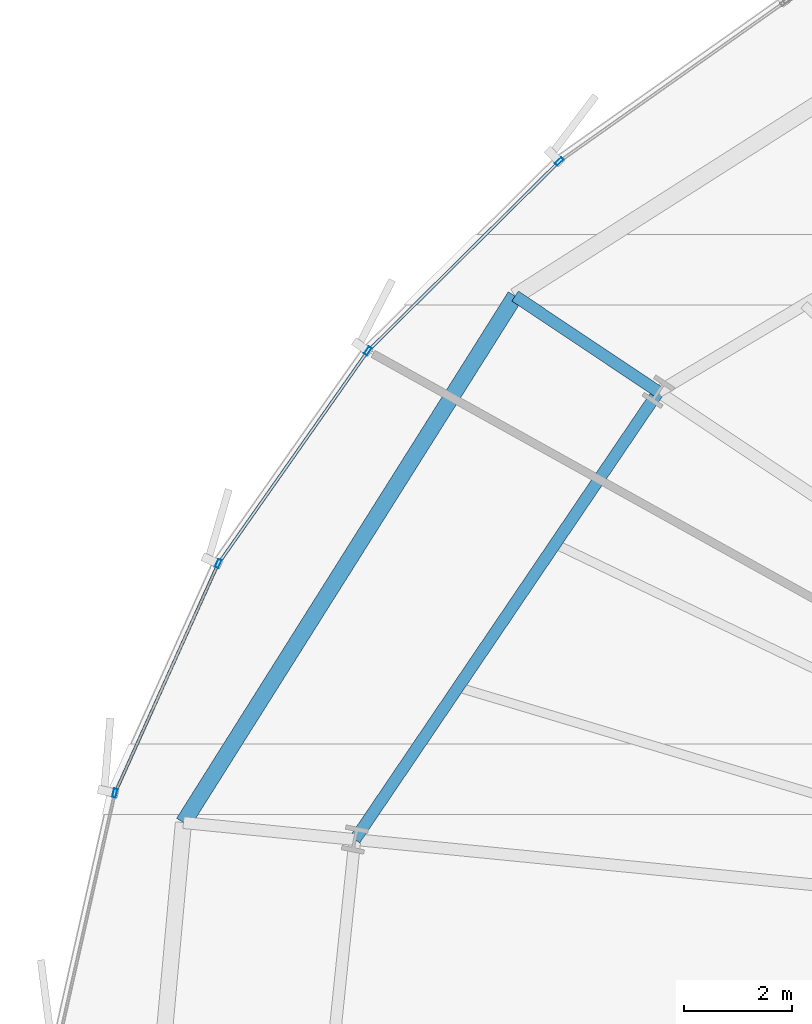
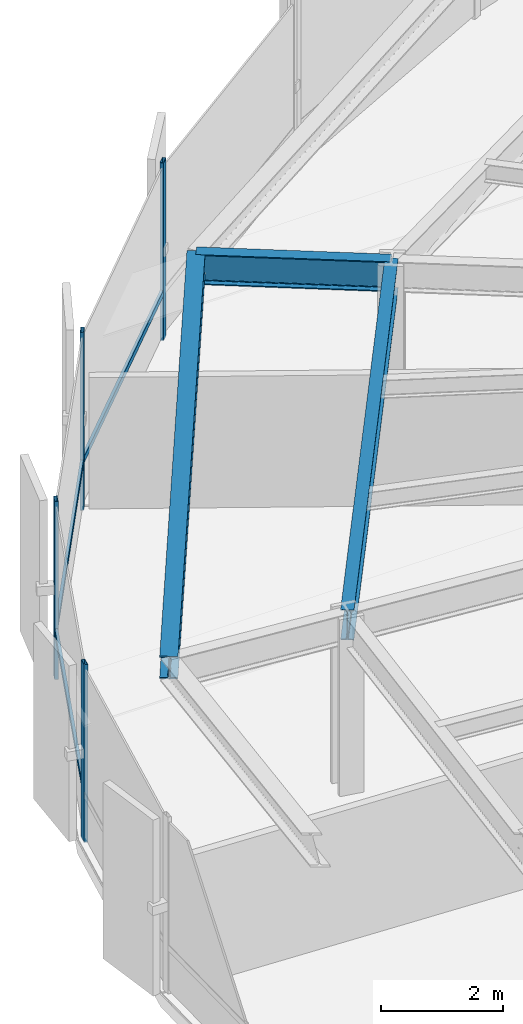
# One storey, part 18 of 38: 7 members, 3 beams, 1 element without a shape of its own.
"""IFC4 building model written with IfcOpenShell, lengths in metres."""

import ifcopenshell
import ifcopenshell.guid

model = None  # the IFC model being written
_history = None  # IfcOwnerHistory: only IFC2X3 demands one
_inside = {}  # id of a spatial element -> (the spatial element, [elements in it])
_under = {}  # id of a project, library or spatial element -> (it, [spatial elements below it])
_declared = {}  # id of a project -> (the project, [libraries it declares])
_typed = {}  # id of a type object -> (the type object, [elements of that type])
_made_of = {}  # id of a material, layer set ... -> (it, [elements and type objects made of it])


def new_model(schema):
    """Start an empty IFC model of exactly this schema.

    Asked for "IFC4X3", IfcOpenShell would pick the latest addendum, in which some entities
    have other attributes; the version numbers below select the first issue.
    IFC2X3 requires an IfcOwnerHistory on every rooted entity: one is made here for all.
    """
    global model, _history
    if schema == "IFC4X3":
        model = ifcopenshell.file(schema_version=(4, 3, 0, 0))
    else:
        model = ifcopenshell.file(schema=schema)
    _inside.clear()
    _under.clear()
    _declared.clear()
    _typed.clear()
    _made_of.clear()
    _history = None
    if model.schema == "IFC2X3":
        org = make("IfcOrganization", Name="unknown")
        user = make(
            "IfcPersonAndOrganization",
            ThePerson=make("IfcPerson", FamilyName="unknown"),
            TheOrganization=org,
        )
        app = make(
            "IfcApplication",
            ApplicationDeveloper=org,
            Version="unknown",
            ApplicationFullName="unknown",
            ApplicationIdentifier="unknown",
        )
        _history = make(
            "IfcOwnerHistory",
            OwningUser=user,
            OwningApplication=app,
            ChangeAction="ADDED",
            CreationDate=0,
        )
    return model


def make(cls, **values):
    """One entity of the class cls with the attributes given. An attribute that is None is left unset."""
    return model.create_entity(
        cls, **{name: value for name, value in values.items() if value is not None}
    )


def rooted(cls, **values):
    """An entity with a GlobalId (a new one), such as an element, a storey or a relation."""
    return make(cls, GlobalId=ifcopenshell.guid.new(), OwnerHistory=_history, **values)


def si_unit(unit_type, name, prefix=None):
    """IfcSIUnit, for example si_unit("LENGTHUNIT", "METRE", prefix="MILLI")."""
    return make("IfcSIUnit", UnitType=unit_type, Prefix=prefix, Name=name)


def assignment(units):
    """IfcUnitAssignment: the units of a project."""
    return None if units is None else make("IfcUnitAssignment", Units=units)


def point(xyz):
    """IfcCartesianPoint."""
    return None if xyz is None else make("IfcCartesianPoint", Coordinates=xyz)


def direction(xyz):
    """IfcDirection."""
    return None if xyz is None else make("IfcDirection", DirectionRatios=xyz)


def frame(location, z_axis=None, x_axis=None):
    """IfcAxis2Placement3D, a coordinate frame: its origin and axes. An axis left out is left unset."""
    return make(
        "IfcAxis2Placement3D",
        Location=point(location),
        Axis=direction(z_axis),
        RefDirection=direction(x_axis),
    )


def frame_2d(location, x_axis=None):
    """IfcAxis2Placement2D, a coordinate frame in the plane: its origin and x axis."""
    return make(
        "IfcAxis2Placement2D", Location=point(location), RefDirection=direction(x_axis)
    )


def origin():
    """The frame at (0, 0, 0) with its axes left unset."""
    return frame((0.0, 0.0, 0.0))


def origin_2d():
    """The frame at (0, 0) in the plane with its x axis left unset."""
    return frame_2d((0.0, 0.0))


def place(relative_to, where):
    """IfcLocalPlacement: puts the frame where relative to a parent placement (None: the world)."""
    return make(
        "IfcLocalPlacement", PlacementRelTo=relative_to, RelativePlacement=where
    )


def context(
    kind, dimensions, precision=None, world=None, true_north=None, identifier=None
):
    """IfcGeometricRepresentationContext, for example the 3D "Model" context."""
    return make(
        "IfcGeometricRepresentationContext",
        ContextIdentifier=identifier,
        ContextType=kind,
        CoordinateSpaceDimension=dimensions,
        Precision=precision,
        WorldCoordinateSystem=world,
        TrueNorth=true_north,
    )


def subcontext(parent, identifier, kind, view, scale=None):
    """IfcGeometricRepresentationSubContext, for example "Body" below "Model"."""
    return make(
        "IfcGeometricRepresentationSubContext",
        ContextIdentifier=identifier,
        ContextType=kind,
        ParentContext=parent,
        TargetScale=scale,
        TargetView=view,
    )


def project(units=None, contexts=None):
    """IfcProject with its units and contexts."""
    return rooted(
        "IfcProject",
        Name="project",
        RepresentationContexts=contexts,
        UnitsInContext=assignment(units),
    )


def spatial(cls, under=None, at=None, **own):
    """A site, building, storey or space (cls), placed at a placement, below another one or the project."""
    s = rooted(cls, ObjectPlacement=at, **own)
    if under is not None:
        _under.setdefault(under.id(), (under, []))[1].append(s)
    return s


def profile(cls, at=None, kind="AREA", **sizes):
    """A parametric profile (cls). Its sizes go by their IFC names, for example OverallWidth=200.0."""
    return make(cls, ProfileType=kind, Position=at, **sizes)


def hollow_rectangle(**sizes):
    """IfcRectangleHollowProfileDef."""
    return profile("IfcRectangleHollowProfileDef", **sizes)


def i_section(**sizes):
    """IfcIShapeProfileDef."""
    return profile("IfcIShapeProfileDef", **sizes)


def extrude(swept, where, along, depth):
    """IfcExtrudedAreaSolid: the profile swept, set in the frame where, extruded along a direction by depth."""
    return make(
        "IfcExtrudedAreaSolid",
        SweptArea=swept,
        Position=where,
        ExtrudedDirection=direction(along),
        Depth=depth,
    )


def shape(context_of_items, identifier, shape_type, items):
    """IfcShapeRepresentation: the items that make up one representation, for example the "Body"."""
    return make(
        "IfcShapeRepresentation",
        ContextOfItems=context_of_items,
        RepresentationIdentifier=identifier,
        RepresentationType=shape_type,
        Items=items,
    )


def source(mapping_origin, context_of_items, identifier, shape_type, items):
    """IfcRepresentationMap: a shape defined once, which mapped items show again and again."""
    return make(
        "IfcRepresentationMap",
        MappingOrigin=mapping_origin,
        MappedRepresentation=shape(context_of_items, identifier, shape_type, items),
    )


def transform(
    local_origin,
    x_axis=None,
    y_axis=None,
    z_axis=None,
    scale=None,
    scale2=None,
    scale3=None,
    uniform=True,
):
    """IfcCartesianTransformationOperator3D, or its non-uniform kind. x_axis, y_axis, z_axis: its Axis1, 2, 3."""
    if uniform:
        return make(
            "IfcCartesianTransformationOperator3D",
            Axis1=direction(x_axis),
            Axis2=direction(y_axis),
            LocalOrigin=point(local_origin),
            Scale=scale,
            Axis3=direction(z_axis),
        )
    return make(
        "IfcCartesianTransformationOperator3DnonUniform",
        Axis1=direction(x_axis),
        Axis2=direction(y_axis),
        LocalOrigin=point(local_origin),
        Scale=scale,
        Axis3=direction(z_axis),
        Scale2=scale2,
        Scale3=scale3,
    )


def mapped(mapping_source, mapping_target):
    """IfcMappedItem: shows the shape of a source again, moved by a transform."""
    return make(
        "IfcMappedItem", MappingSource=mapping_source, MappingTarget=mapping_target
    )


def material(Name=None, Category=None):
    """IfcMaterial."""
    return make("IfcMaterial", Name=Name, Category=Category)


def layer(
    of_material, thickness, ventilated=None, Name=None, Category=None, Priority=None
):
    """IfcMaterialLayer: one layer of a wall or slab, of a material (None: an air gap)."""
    return make(
        "IfcMaterialLayer",
        Material=of_material,
        LayerThickness=thickness,
        IsVentilated=ventilated,
        Name=Name,
        Category=Category,
        Priority=Priority,
    )


def layer_set(layers, Name=None):
    """IfcMaterialLayerSet."""
    return make("IfcMaterialLayerSet", MaterialLayers=layers, LayerSetName=Name)


def material_profile(
    of_material, cross_section, Name=None, Category=None, Priority=None
):
    """IfcMaterialProfile: a cross section and its material."""
    return make(
        "IfcMaterialProfile",
        Name=Name,
        Material=of_material,
        Profile=cross_section,
        Priority=Priority,
        Category=Category,
    )


def profile_set(profiles, Name=None, composite=None):
    """IfcMaterialProfileSet."""
    return make(
        "IfcMaterialProfileSet",
        Name=Name,
        MaterialProfiles=profiles,
        CompositeProfile=composite,
    )


def made_of(thing, what):
    """Note that an element or type object is made of a material, layer set ...; save() writes the relation."""
    if what is not None:
        _made_of.setdefault(what.id(), (what, []))[1].append(thing)
    return thing


def type_object(cls, material=None, **own):
    """A type object (cls), such as IfcWallType, which elements share."""
    return made_of(rooted(cls, **own), material)


def element(
    cls,
    number,
    at=None,
    inside=None,
    cuts=None,
    type_object=None,
    material=None,
    context=None,
    identifier="Body",
    shape_type=None,
    held_by="IfcProductDefinitionShape",
    body=None,
    shapes=None,
    **own,
):
    """One element of the class cls, such as IfcWall. Its Tag is "e" and its number.

    at: its placement. inside: the storey or other place that contains it. cuts: it is an
    opening in that element (IfcRelVoidsElement). A single representation is given by context,
    identifier, shape_type and body (its items); several are given by shapes. held_by: the class
    of the entity that holds the representations. save() writes the other relations.
    """
    e = rooted(cls, Tag="e%d" % number, ObjectPlacement=at, **own)
    if body is not None:
        shapes = [shape(context, identifier, shape_type, body)]
    if shapes is not None:
        e.Representation = make(held_by, Representations=shapes)
    if inside is not None:
        _inside.setdefault(inside.id(), (inside, []))[1].append(e)
    if cuts is not None:
        rooted(
            "IfcRelVoidsElement", RelatingBuildingElement=cuts, RelatedOpeningElement=e
        )
    if type_object is not None:
        _typed.setdefault(type_object.id(), (type_object, []))[1].append(e)
    return made_of(e, material)


def aggregate(whole, parts):
    """IfcRelAggregates: a whole, such as a stair, and the parts it consists of."""
    return rooted("IfcRelAggregates", RelatingObject=whole, RelatedObjects=parts)


def save(model, path):
    """Write the relations noted so far, then the file.

    IfcRelAggregates (storeys below a building ...), IfcRelContainedInSpatialStructure (elements
    in a storey), IfcRelDefinesByType, IfcRelAssociatesMaterial and IfcRelDeclares: one each for
    every whole, place, type object, material and project.
    """
    for whole, parts in _under.values():
        aggregate(whole, parts)
    for where, things in _inside.values():
        rooted(
            "IfcRelContainedInSpatialStructure",
            RelatedElements=things,
            RelatingStructure=where,
        )
    for kind, things in _typed.values():
        rooted("IfcRelDefinesByType", RelatedObjects=things, RelatingType=kind)
    for what, things in _made_of.values():
        rooted("IfcRelAssociatesMaterial", RelatedObjects=things, RelatingMaterial=what)
    for by, libraries in _declared.values():
        rooted("IfcRelDeclares", RelatingContext=by, RelatedDefinitions=libraries)
    model.write(path)


model = new_model("IFC4")

# Units and contexts
model_context = context("Model", 3, precision=1e-05, world=origin(), true_north=direction((0.0, 1.0)))
body_context = subcontext(model_context, "Body", "Model", "MODEL_VIEW")
ifc_project = project(units=[si_unit("LENGTHUNIT", "METRE"), si_unit("AREAUNIT", "SQUARE_METRE"), si_unit("VOLUMEUNIT", "CUBIC_METRE"), si_unit("PLANEANGLEUNIT", "RADIAN"), si_unit("MASSUNIT", "GRAM", prefix="KILO"), si_unit("THERMODYNAMICTEMPERATUREUNIT", "KELVIN")], contexts=[model_context])

# Site, building, storey
site_placement = place(None, origin())
site = spatial("IfcSite", under=ifc_project, at=site_placement, CompositionType="ELEMENT")
building_placement = place(site_placement, origin())
building = spatial("IfcBuilding", under=site, at=building_placement, Name="Kethvar Cultural Tower", CompositionType="ELEMENT")
storey_placement = place(building_placement, frame((0.0, 0.0, 52.39990234375)))
storey = spatial("IfcBuildingStorey", under=building, at=storey_placement, Name="L12", CompositionType="ELEMENT", Elevation=52.39990234375)

# Beams
ifc_material_1 = material(Name="Steel S355J2", Category="steel")
ifc_material_profile_1 = material_profile(ifc_material_1, i_section(OverallWidth=0.219970703125, OverallDepth=0.60009765625, WebThickness=0.011962890625, FlangeThickness=0.01904296875, FilletRadius=0.02392578125, at=origin_2d()), Name="Steel S355J2 — IPE600")
ifc_profile_set_1 = profile_set([ifc_material_profile_1], Name="Steel S355J2 — IPE600")
beam_type_1 = type_object("IfcBeamType", Name="BM-IPE600", PredefinedType="BEAM", material=ifc_profile_set_1)
shared_shape_1 = source(origin(), body_context, "Body", "SweptSolid", [
    extrude(i_section(OverallWidth=0.219970703125, OverallDepth=0.60009765625, WebThickness=0.011962890625, FlangeThickness=0.01904296875, FilletRadius=0.02392578125, at=origin_2d()), origin(), (0.0, 0.0, 1.0), 3.199951171875),
])
beam_1_placement = place(storey_placement, frame((26.6845703125, 41.24072265625, 3.248046875), z_axis=(-0.831462943996, 0.555580212716, 0.0), x_axis=(-0.555580212716, -0.831462943996, 0.0)))
element("IfcBeam", 1, at=beam_1_placement, inside=storey, type_object=beam_type_1, Name="L12 Perimeter Cantilever Beam RC-07", PredefinedType="BEAM", context=body_context, shape_type="MappedRepresentation", body=[
    mapped(shared_shape_1, transform((0.0, 0.0, 0.0), scale=1.0)),
])
shared_shape_2 = source(origin(), body_context, "Body", "SweptSolid", [
    extrude(i_section(OverallWidth=0.219970703125, OverallDepth=0.60009765625, WebThickness=0.011962890625, FlangeThickness=0.01904296875, FilletRadius=0.02392578125, at=origin_2d()), origin(), (0.0, 0.0, 1.0), 10.048583984375),
])
beam_2_placement = place(storey_placement, frame((26.6845703125, 41.24072265625, 3.248046875), z_axis=(-0.561025415443, -0.827798576483, 0.0), x_axis=(0.827798576483, -0.561025415443, 0.0)))
element("IfcBeam", 2, at=beam_2_placement, inside=storey, type_object=beam_type_1, Name="L12 Column Ring Tie Beam CR-07", PredefinedType="BEAM", context=body_context, shape_type="MappedRepresentation", body=[
    mapped(shared_shape_2, transform((0.0, 0.0, 0.0), scale=1.0)),
])
ifc_material_profile_2 = material_profile(ifc_material_1, i_section(OverallWidth=0.300048828125, OverallDepth=0.449951171875, WebThickness=0.013916015625, FlangeThickness=0.02587890625, FilletRadius=0.027099609375, at=origin_2d()), Name="Steel S355J2 — HEB450")
ifc_profile_set_2 = profile_set([ifc_material_profile_2], Name="Steel S355J2 — HEB450")
beam_type_2 = type_object("IfcBeamType", Name="BM-SP450", PredefinedType="SPANDREL", material=ifc_profile_set_2)
shared_shape_3 = source(origin(), body_context, "Body", "SweptSolid", [
    extrude(i_section(OverallWidth=0.300048828125, OverallDepth=0.449951171875, WebThickness=0.013916015625, FlangeThickness=0.02587890625, FilletRadius=0.027099609375, at=origin_2d()), origin(), (0.0, 0.0, 1.0), 11.560546875),
])
beam_3_placement = place(storey_placement, frame((24.02392578125, 43.0185546875, 3.322998046875), z_axis=(-0.532968413488, -0.846135137093, 0.0), x_axis=(0.846135137093, -0.532968413488, 0.0)))
element("IfcBeam", 3, at=beam_3_placement, inside=storey, type_object=beam_type_2, Name="L12 Perimeter Spandrel Beam SP-07", PredefinedType="SPANDREL", context=body_context, shape_type="MappedRepresentation", body=[
    mapped(shared_shape_3, transform((0.0, 0.0, 0.0), scale=1.0)),
])

# Curtain wall, members
ifc_material_2 = material(Name="Aluminium 6063-T6", Category="aluminium")
ifc_layer = layer(ifc_material_2, 0.179931640625, Name="Aluminium 6063-T6", Category="aluminium")
ifc_layer_set = layer_set([ifc_layer], Name="Aluminium 6063-T6 (180 mm)")
curtain_wall_type = type_object("IfcCurtainWallType", Name="CW-SYS-02-Z1", PredefinedType="NOTDEFINED", material=ifc_layer_set)
curtain_wall_placement = place(storey_placement, origin())
curtain_wall = element("IfcCurtainWall", 4, at=curtain_wall_placement, inside=storey, type_object=curtain_wall_type, Name="L12 Curtain Wall Run 03", PredefinedType="NOTDEFINED")
ifc_material_profile_3 = material_profile(ifc_material_2, hollow_rectangle(XDim=0.06494140625, YDim=0.159912109375, WallThickness=0.0048828125, at=origin_2d()), Name="Aluminium 6063-T6 — RHS160x65x5")
ifc_profile_set_3 = profile_set([ifc_material_profile_3], Name="Aluminium 6063-T6 — RHS160x65x5")
member_type_1 = type_object("IfcMemberType", Name="CW-SYS-02-Z1-MUL", PredefinedType="MULLION", material=ifc_profile_set_3)
shared_shape_4 = source(origin(), body_context, "Body", "SweptSolid", [
    extrude(hollow_rectangle(XDim=0.06494140625, YDim=0.159912109375, WallThickness=0.0048828125, at=origin_2d()), origin(), (0.0, 0.0, 1.0), 3.550048828125),
])
member_1_placement = place(storey_placement, frame((24.843994140625, 45.52001953125, 0.0), z_axis=(0.0, 0.0, 1.0), x_axis=(0.703940350157, -0.710259095979, 0.0)))
member_1 = element("IfcMember", 5, at=member_1_placement, type_object=member_type_1, Name="CW-L12-R03 Mullion 2", PredefinedType="MULLION", context=body_context, shape_type="MappedRepresentation", body=[
    mapped(shared_shape_4, transform((0.0, 0.0, 0.0), scale=1.0)),
])
member_2_placement = place(storey_placement, frame((21.28857421875, 41.99853515625, 0.0), z_axis=(0.0, 0.0, 1.0), x_axis=(0.818129645457, -0.575033810506, 0.0)))
member_2 = element("IfcMember", 6, at=member_2_placement, type_object=member_type_1, Name="CW-L12-R03 Mullion 3", PredefinedType="MULLION", context=body_context, shape_type="MappedRepresentation", body=[
    mapped(shared_shape_4, transform((0.0, 0.0, 0.0), scale=1.0)),
])
member_3_placement = place(storey_placement, frame((18.5087890625, 38.04736328125, 0.0), z_axis=(0.0, 0.0, 1.0), x_axis=(0.911891029714, -0.410432393856, 0.0)))
member_3 = element("IfcMember", 7, at=member_3_placement, type_object=member_type_1, Name="CW-L12-R03 Mullion 4", PredefinedType="MULLION", context=body_context, shape_type="MappedRepresentation", body=[
    mapped(shared_shape_4, transform((0.0, 0.0, 0.0), scale=1.0)),
])
member_4_placement = place(storey_placement, frame((16.58837890625, 33.786376953125, 0.0), z_axis=(0.0, 0.0, 1.0), x_axis=(0.975534543946, -0.219846204353, 0.0)))
member_4 = element("IfcMember", 8, at=member_4_placement, type_object=member_type_1, Name="CW-L12-R03 Mullion 5", PredefinedType="MULLION", context=body_context, shape_type="MappedRepresentation", body=[
    mapped(shared_shape_4, transform((0.0, 0.0, 0.0), scale=1.0)),
])
ifc_material_profile_4 = material_profile(ifc_material_2, hollow_rectangle(XDim=0.054931640625, YDim=0.1201171875, WallThickness=0.00390625, at=origin_2d()), Name="Aluminium 6063-T6 — RHS120x55x4")
ifc_profile_set_4 = profile_set([ifc_material_profile_4], Name="Aluminium 6063-T6 — RHS120x55x4")
member_type_2 = type_object("IfcMemberType", Name="CW-SYS-02-Z1-TRN", PredefinedType="USERDEFINED", material=ifc_profile_set_4)
shared_shape_5 = source(origin(), body_context, "Body", "SweptSolid", [
    extrude(hollow_rectangle(XDim=0.054931640625, YDim=0.1201171875, WallThickness=0.00390625, at=origin_2d()), origin(), (0.0, 0.0, 1.0), 4.931396484375),
])
member_5_placement = place(storey_placement, frame((24.810791015625, 45.48681640625, 0.9501953125), z_axis=(-0.710268091214, -0.703931274062, 0.0), x_axis=(0.703931274062, -0.710268091214, 0.0)))
member_5 = element("IfcMember", 9, at=member_5_placement, type_object=member_type_2, Name="CW-L12-R03 Transom 2", ObjectType="TRANSOM", PredefinedType="USERDEFINED", context=body_context, shape_type="MappedRepresentation", body=[
    mapped(shared_shape_5, transform((0.0, 0.0, 0.0), scale=1.0)),
])
shared_shape_6 = source(origin(), body_context, "Body", "SweptSolid", [
    extrude(hollow_rectangle(XDim=0.054931640625, YDim=0.1201171875, WallThickness=0.00390625, at=origin_2d()), origin(), (0.0, 0.0, 1.0), 4.760009765625),
])
member_6_placement = place(storey_placement, frame((21.26171875, 41.960205078125, 0.9501953125), z_axis=(-0.57505501222, -0.818114743126, 0.0), x_axis=(0.818114743126, -0.57505501222, 0.0)))
member_6 = element("IfcMember", 10, at=member_6_placement, type_object=member_type_2, Name="CW-L12-R03 Transom 3", ObjectType="TRANSOM", PredefinedType="USERDEFINED", context=body_context, shape_type="MappedRepresentation", body=[
    mapped(shared_shape_6, transform((0.0, 0.0, 0.0), scale=1.0)),
])
shared_shape_7 = source(origin(), body_context, "Body", "SweptSolid", [
    extrude(hollow_rectangle(XDim=0.054931640625, YDim=0.1201171875, WallThickness=0.00390625, at=origin_2d()), origin(), (0.0, 0.0, 1.0), 4.604248046875),
])
member_7_placement = place(storey_placement, frame((18.489501953125, 38.004638671875, 0.9501953125), z_axis=(-0.410424207113, -0.911894714435, 0.0), x_axis=(0.911894714435, -0.410424207113, 0.0)))
member_7 = element("IfcMember", 11, at=member_7_placement, type_object=member_type_2, Name="CW-L12-R03 Transom 4", ObjectType="TRANSOM", PredefinedType="USERDEFINED", context=body_context, shape_type="MappedRepresentation", body=[
    mapped(shared_shape_7, transform((0.0, 0.0, 0.0), scale=1.0)),
])
aggregate(curtain_wall, [member_1, member_2, member_3, member_4, member_5, member_6, member_7])

save(model, "model.ifc")
